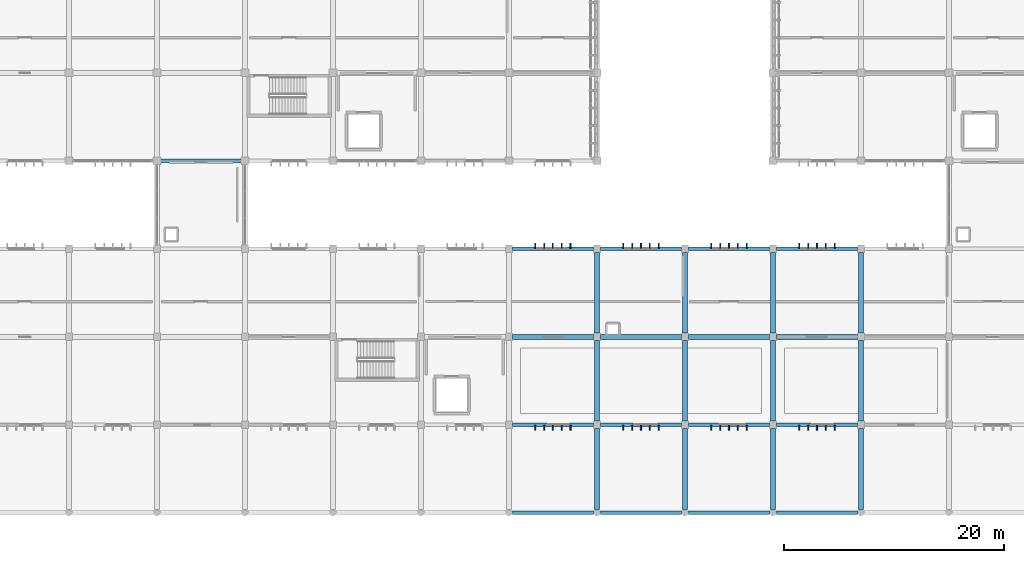
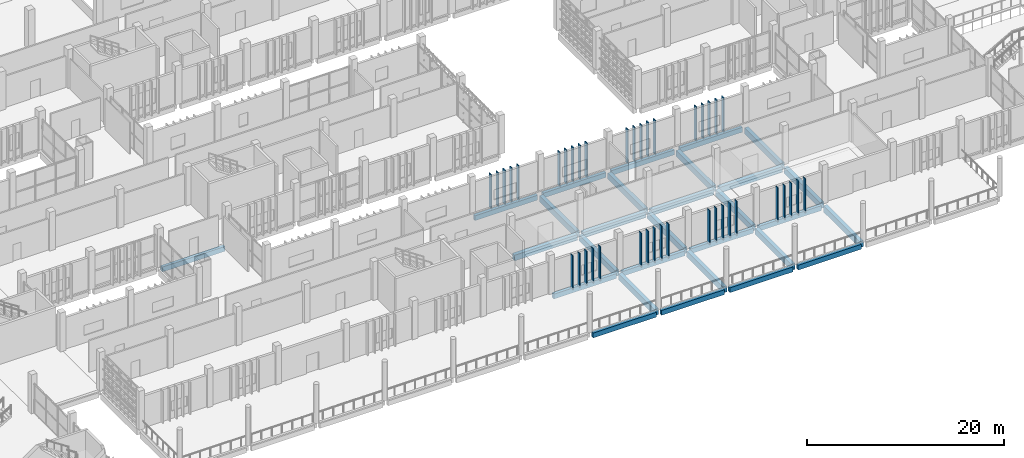
# One storey, part 34 of 106: 40 members, 29 beams.
"""IFC4 building model written with IfcOpenShell, lengths in metres."""

import ifcopenshell
import ifcopenshell.guid

model = None  # the IFC model being written
_history = None  # IfcOwnerHistory: only IFC2X3 demands one
_inside = {}  # id of a spatial element -> (the spatial element, [elements in it])
_under = {}  # id of a project, library or spatial element -> (it, [spatial elements below it])
_declared = {}  # id of a project -> (the project, [libraries it declares])
_typed = {}  # id of a type object -> (the type object, [elements of that type])
_made_of = {}  # id of a material, layer set ... -> (it, [elements and type objects made of it])


def new_model(schema):
    """Start an empty IFC model of exactly this schema.

    Asked for "IFC4X3", IfcOpenShell would pick the latest addendum, in which some entities
    have other attributes; the version numbers below select the first issue.
    IFC2X3 requires an IfcOwnerHistory on every rooted entity: one is made here for all.
    """
    global model, _history
    if schema == "IFC4X3":
        model = ifcopenshell.file(schema_version=(4, 3, 0, 0))
    else:
        model = ifcopenshell.file(schema=schema)
    _inside.clear()
    _under.clear()
    _declared.clear()
    _typed.clear()
    _made_of.clear()
    _history = None
    if model.schema == "IFC2X3":
        org = make("IfcOrganization", Name="unknown")
        user = make(
            "IfcPersonAndOrganization",
            ThePerson=make("IfcPerson", FamilyName="unknown"),
            TheOrganization=org,
        )
        app = make(
            "IfcApplication",
            ApplicationDeveloper=org,
            Version="unknown",
            ApplicationFullName="unknown",
            ApplicationIdentifier="unknown",
        )
        _history = make(
            "IfcOwnerHistory",
            OwningUser=user,
            OwningApplication=app,
            ChangeAction="ADDED",
            CreationDate=0,
        )
    return model


def make(cls, **values):
    """One entity of the class cls with the attributes given. An attribute that is None is left unset."""
    return model.create_entity(
        cls, **{name: value for name, value in values.items() if value is not None}
    )


def rooted(cls, **values):
    """An entity with a GlobalId (a new one), such as an element, a storey or a relation."""
    return make(cls, GlobalId=ifcopenshell.guid.new(), OwnerHistory=_history, **values)


def si_unit(unit_type, name, prefix=None):
    """IfcSIUnit, for example si_unit("LENGTHUNIT", "METRE", prefix="MILLI")."""
    return make("IfcSIUnit", UnitType=unit_type, Prefix=prefix, Name=name)


def assignment(units):
    """IfcUnitAssignment: the units of a project."""
    return None if units is None else make("IfcUnitAssignment", Units=units)


def point(xyz):
    """IfcCartesianPoint."""
    return None if xyz is None else make("IfcCartesianPoint", Coordinates=xyz)


def direction(xyz):
    """IfcDirection."""
    return None if xyz is None else make("IfcDirection", DirectionRatios=xyz)


def frame(location, z_axis=None, x_axis=None):
    """IfcAxis2Placement3D, a coordinate frame: its origin and axes. An axis left out is left unset."""
    return make(
        "IfcAxis2Placement3D",
        Location=point(location),
        Axis=direction(z_axis),
        RefDirection=direction(x_axis),
    )


def frame_2d(location, x_axis=None):
    """IfcAxis2Placement2D, a coordinate frame in the plane: its origin and x axis."""
    return make(
        "IfcAxis2Placement2D", Location=point(location), RefDirection=direction(x_axis)
    )


def origin():
    """The frame at (0, 0, 0) with its axes left unset."""
    return frame((0.0, 0.0, 0.0))


def origin_2d():
    """The frame at (0, 0) in the plane with its x axis left unset."""
    return frame_2d((0.0, 0.0))


def place(relative_to, where):
    """IfcLocalPlacement: puts the frame where relative to a parent placement (None: the world)."""
    return make(
        "IfcLocalPlacement", PlacementRelTo=relative_to, RelativePlacement=where
    )


def context(
    kind, dimensions, precision=None, world=None, true_north=None, identifier=None
):
    """IfcGeometricRepresentationContext, for example the 3D "Model" context."""
    return make(
        "IfcGeometricRepresentationContext",
        ContextIdentifier=identifier,
        ContextType=kind,
        CoordinateSpaceDimension=dimensions,
        Precision=precision,
        WorldCoordinateSystem=world,
        TrueNorth=true_north,
    )


def subcontext(parent, identifier, kind, view, scale=None):
    """IfcGeometricRepresentationSubContext, for example "Body" below "Model"."""
    return make(
        "IfcGeometricRepresentationSubContext",
        ContextIdentifier=identifier,
        ContextType=kind,
        ParentContext=parent,
        TargetScale=scale,
        TargetView=view,
    )


def project(units=None, contexts=None):
    """IfcProject with its units and contexts."""
    return rooted(
        "IfcProject",
        Name="project",
        RepresentationContexts=contexts,
        UnitsInContext=assignment(units),
    )


def spatial(cls, under=None, at=None, **own):
    """A site, building, storey or space (cls), placed at a placement, below another one or the project."""
    s = rooted(cls, ObjectPlacement=at, **own)
    if under is not None:
        _under.setdefault(under.id(), (under, []))[1].append(s)
    return s


def profile(cls, at=None, kind="AREA", **sizes):
    """A parametric profile (cls). Its sizes go by their IFC names, for example OverallWidth=200.0."""
    return make(cls, ProfileType=kind, Position=at, **sizes)


def rectangle(**sizes):
    """IfcRectangleProfileDef."""
    return profile("IfcRectangleProfileDef", **sizes)


def extrude(swept, where, along, depth):
    """IfcExtrudedAreaSolid: the profile swept, set in the frame where, extruded along a direction by depth."""
    return make(
        "IfcExtrudedAreaSolid",
        SweptArea=swept,
        Position=where,
        ExtrudedDirection=direction(along),
        Depth=depth,
    )


def shape(context_of_items, identifier, shape_type, items):
    """IfcShapeRepresentation: the items that make up one representation, for example the "Body"."""
    return make(
        "IfcShapeRepresentation",
        ContextOfItems=context_of_items,
        RepresentationIdentifier=identifier,
        RepresentationType=shape_type,
        Items=items,
    )


def material(Name=None, Category=None):
    """IfcMaterial."""
    return make("IfcMaterial", Name=Name, Category=Category)


def material_profile(
    of_material, cross_section, Name=None, Category=None, Priority=None
):
    """IfcMaterialProfile: a cross section and its material."""
    return make(
        "IfcMaterialProfile",
        Name=Name,
        Material=of_material,
        Profile=cross_section,
        Priority=Priority,
        Category=Category,
    )


def profile_set(profiles, Name=None, composite=None):
    """IfcMaterialProfileSet."""
    return make(
        "IfcMaterialProfileSet",
        Name=Name,
        MaterialProfiles=profiles,
        CompositeProfile=composite,
    )


def made_of(thing, what):
    """Note that an element or type object is made of a material, layer set ...; save() writes the relation."""
    if what is not None:
        _made_of.setdefault(what.id(), (what, []))[1].append(thing)
    return thing


def type_object(cls, material=None, **own):
    """A type object (cls), such as IfcWallType, which elements share."""
    return made_of(rooted(cls, **own), material)


def element(
    cls,
    number,
    at=None,
    inside=None,
    cuts=None,
    type_object=None,
    material=None,
    context=None,
    identifier="Body",
    shape_type=None,
    held_by="IfcProductDefinitionShape",
    body=None,
    shapes=None,
    **own,
):
    """One element of the class cls, such as IfcWall. Its Tag is "e" and its number.

    at: its placement. inside: the storey or other place that contains it. cuts: it is an
    opening in that element (IfcRelVoidsElement). A single representation is given by context,
    identifier, shape_type and body (its items); several are given by shapes. held_by: the class
    of the entity that holds the representations. save() writes the other relations.
    """
    e = rooted(cls, Tag="e%d" % number, ObjectPlacement=at, **own)
    if body is not None:
        shapes = [shape(context, identifier, shape_type, body)]
    if shapes is not None:
        e.Representation = make(held_by, Representations=shapes)
    if inside is not None:
        _inside.setdefault(inside.id(), (inside, []))[1].append(e)
    if cuts is not None:
        rooted(
            "IfcRelVoidsElement", RelatingBuildingElement=cuts, RelatedOpeningElement=e
        )
    if type_object is not None:
        _typed.setdefault(type_object.id(), (type_object, []))[1].append(e)
    return made_of(e, material)


def aggregate(whole, parts):
    """IfcRelAggregates: a whole, such as a stair, and the parts it consists of."""
    return rooted("IfcRelAggregates", RelatingObject=whole, RelatedObjects=parts)


def save(model, path):
    """Write the relations noted so far, then the file.

    IfcRelAggregates (storeys below a building ...), IfcRelContainedInSpatialStructure (elements
    in a storey), IfcRelDefinesByType, IfcRelAssociatesMaterial and IfcRelDeclares: one each for
    every whole, place, type object, material and project.
    """
    for whole, parts in _under.values():
        aggregate(whole, parts)
    for where, things in _inside.values():
        rooted(
            "IfcRelContainedInSpatialStructure",
            RelatedElements=things,
            RelatingStructure=where,
        )
    for kind, things in _typed.values():
        rooted("IfcRelDefinesByType", RelatedObjects=things, RelatingType=kind)
    for what, things in _made_of.values():
        rooted("IfcRelAssociatesMaterial", RelatedObjects=things, RelatingMaterial=what)
    for by, libraries in _declared.values():
        rooted("IfcRelDeclares", RelatingContext=by, RelatedDefinitions=libraries)
    model.write(path)


model = new_model("IFC4")

# Units and contexts
model_context = context("Model", 3, precision=1e-05, world=origin(), true_north=direction((0.0, 1.0)))
body_context = subcontext(model_context, "Body", "Model", "MODEL_VIEW")
ifc_project = project(units=[si_unit("LENGTHUNIT", "METRE"), si_unit("AREAUNIT", "SQUARE_METRE"), si_unit("VOLUMEUNIT", "CUBIC_METRE"), si_unit("PLANEANGLEUNIT", "RADIAN"), si_unit("MASSUNIT", "GRAM", prefix="KILO")], contexts=[model_context])

# Site, building, storey
site_placement = place(None, origin())
site = spatial("IfcSite", under=ifc_project, at=site_placement, CompositionType="ELEMENT")
building_placement = place(site_placement, origin())
building = spatial("IfcBuilding", under=site, at=building_placement, Name="Jelvoka-Kovrelna Polytechnic", CompositionType="ELEMENT")
storey_placement = place(building_placement, frame((0.0, 0.0, 4.800048828125)))
storey = spatial("IfcBuildingStorey", under=building, at=storey_placement, Name="L02", CompositionType="ELEMENT", Elevation=4.800048828125)

# Beams
ifc_material_1 = material(Name="Concrete C40/50", Category="concrete")
ifc_material_profile_1 = material_profile(ifc_material_1, rectangle(XDim=0.449951171875, YDim=0.699951171875, at=origin_2d()), Name="RC 450x700")
ifc_profile_set_1 = profile_set([ifc_material_profile_1], Name="Concrete C40/50")
beam_type_1 = type_object("IfcBeamType", Name="Beam_RC_450x700", PredefinedType="BEAM", material=ifc_profile_set_1)
for number, where, z_axis, x_axis, name in (
    (1, (104.330078125, 16.0, -0.614990234375), (1.0, 0.0, 0.0), (0.0, 1.0, 0.0), "L02 beam 0626"),
    (2, (112.330078125, 16.0, -0.614990234375), (1.0, 0.0, 0.0), (0.0, 1.0, 0.0), "L02 beam 0656"),
    (3, (120.330078125, 16.0, -0.614990234375), (1.0, 0.0, 0.0), (0.0, 1.0, 0.0), "L02 beam 0657"),
    (4, (128.330078125, 16.0, -0.614990234375), (1.0, 0.0, 0.0), (0.0, 1.0, 0.0), "L02 beam 0658"),
):
    element("IfcBeam", number, at=place(storey_placement, frame(where, z_axis=z_axis, x_axis=x_axis)), inside=storey, type_object=beam_type_1, Name=name, PredefinedType="BEAM", context=body_context, shape_type="SweptSolid", body=[
        extrude(rectangle(XDim=0.449951171875, YDim=0.699951171875, at=origin_2d()), origin(), (0.0, 0.0, 1.0), 7.33984375),
    ])
ifc_material_2 = material(Name="Concrete C40/50", Category="concrete")
ifc_material_profile_2 = material_profile(ifc_material_2, rectangle(XDim=0.449951171875, YDim=0.75, at=origin_2d()), Name="RC 450x750")
ifc_profile_set_2 = profile_set([ifc_material_profile_2], Name="Concrete C40/50")
beam_type_2 = type_object("IfcBeamType", Name="Beam_RC_450x750", PredefinedType="BEAM", material=ifc_profile_set_2)
for number, where, z_axis, x_axis, name in (
    (5, (112.0, 8.330078125, -0.64013671875), (0.0, 1.0, 0.0), (-1.0, 0.0, 0.0), "L02 beam 0648"),
    (6, (112.0, 16.330078125, -0.64013671875), (0.0, 1.0, 0.0), (-1.0, 0.0, 0.0), "L02 beam 0649"),
    (7, (120.0, 8.330078125, -0.64013671875), (0.0, 1.0, 0.0), (-1.0, 0.0, 0.0), "L02 beam 0668"),
    (8, (120.0, 16.330078125, -0.64013671875), (0.0, 1.0, 0.0), (-1.0, 0.0, 0.0), "L02 beam 0669"),
    (9, (128.0, 8.330078125, -0.64013671875), (0.0, 1.0, 0.0), (-1.0, 0.0, 0.0), "L02 beam 0670"),
    (10, (128.0, 16.330078125, -0.64013671875), (0.0, 1.0, 0.0), (-1.0, 0.0, 0.0), "L02 beam 0671"),
    (11, (136.0, 8.330078125, -0.64013671875), (0.0, 1.0, 0.0), (-1.0, 0.0, 0.0), "L02 beam 0672"),
    (12, (136.0, 16.330078125, -0.64013671875), (0.0, 1.0, 0.0), (-1.0, 0.0, 0.0), "L02 beam 0673"),
):
    element("IfcBeam", number, at=place(storey_placement, frame(where, z_axis=z_axis, x_axis=x_axis)), inside=storey, type_object=beam_type_2, Name=name, PredefinedType="BEAM", context=body_context, shape_type="SweptSolid", body=[
        extrude(rectangle(XDim=0.449951171875, YDim=0.75, at=origin_2d()), origin(), (0.0, 0.0, 1.0), 7.33984375),
    ])
for number, where, z_axis, x_axis, name in (
    (13, (112.0, 0.304931640625, -0.594970703125), (0.0, 1.0, 0.0), (-1.0, 0.0, 0.0), "L02 beam 2006"),
    (14, (120.0, 0.304931640625, -0.594970703125), (0.0, 1.0, 0.0), (-1.0, 0.0, 0.0), "L02 beam 2007"),
    (15, (128.0, 0.304931640625, -0.594970703125), (0.0, 1.0, 0.0), (-1.0, 0.0, 0.0), "L02 beam 2008"),
    (16, (136.0, 0.304931640625, -0.594970703125), (0.0, 1.0, 0.0), (-1.0, 0.0, 0.0), "L02 beam 2009"),
):
    element("IfcBeam", number, at=place(storey_placement, frame(where, z_axis=z_axis, x_axis=x_axis)), inside=storey, type_object=beam_type_2, Name=name, PredefinedType="BEAM", context=body_context, shape_type="SweptSolid", body=[
        extrude(rectangle(XDim=0.449951171875, YDim=0.75, at=origin_2d()), origin(), (0.0, 0.0, 1.0), 7.364990234375),
    ])

# Members
ifc_material_3 = material(Name="Precast concrete C40/50", Category="concrete")
ifc_material_profile_3 = material_profile(ifc_material_3, rectangle(XDim=0.10009765625, YDim=0.449951171875, at=origin_2d()), Name="PC 100x450")
ifc_profile_set_3 = profile_set([ifc_material_profile_3], Name="Precast concrete C40/50")
member_type = type_object("IfcMemberType", Name="Louvre_Fin_100x450", PredefinedType="USERDEFINED", material=ifc_profile_set_3)
for number, where, z_axis, x_axis, name in (
    (17, (106.39990234375, 7.735107421875, -0.27001953125), (0.0, 0.0, 1.0), (1.0, 0.0, 0.0), "L02 B1 south vertical solar louvre fin 0156"),
    (18, (107.199951171875, 7.735107421875, -0.27001953125), (0.0, 0.0, 1.0), (1.0, 0.0, 0.0), "L02 B1 south vertical solar louvre fin 0157"),
    (19, (108.0, 7.735107421875, -0.27001953125), (0.0, 0.0, 1.0), (1.0, 0.0, 0.0), "L02 B1 south vertical solar louvre fin 0158"),
    (20, (108.800048828125, 7.735107421875, -0.27001953125), (0.0, 0.0, 1.0), (1.0, 0.0, 0.0), "L02 B1 south vertical solar louvre fin 0159"),
    (21, (109.60009765625, 7.735107421875, -0.27001953125), (0.0, 0.0, 1.0), (1.0, 0.0, 0.0), "L02 B1 south vertical solar louvre fin 0160"),
    (22, (106.39990234375, 24.264892578125, -0.27001953125), (0.0, 0.0, 1.0), (1.0, 0.0, 0.0), "L02 B1 north vertical solar louvre fin 0161"),
    (23, (107.199951171875, 24.264892578125, -0.27001953125), (0.0, 0.0, 1.0), (1.0, 0.0, 0.0), "L02 B1 north vertical solar louvre fin 0162"),
    (24, (108.0, 24.264892578125, -0.27001953125), (0.0, 0.0, 1.0), (1.0, 0.0, 0.0), "L02 B1 north vertical solar louvre fin 0163"),
    (25, (108.800048828125, 24.264892578125, -0.27001953125), (0.0, 0.0, 1.0), (1.0, 0.0, 0.0), "L02 B1 north vertical solar louvre fin 0164"),
    (26, (109.60009765625, 24.264892578125, -0.27001953125), (0.0, 0.0, 1.0), (1.0, 0.0, 0.0), "L02 B1 north vertical solar louvre fin 0165"),
    (27, (114.39990234375, 7.735107421875, -0.27001953125), (0.0, 0.0, 1.0), (1.0, 0.0, 0.0), "L02 B1 south vertical solar louvre fin 0166"),
    (28, (115.199951171875, 7.735107421875, -0.27001953125), (0.0, 0.0, 1.0), (1.0, 0.0, 0.0), "L02 B1 south vertical solar louvre fin 0167"),
    (29, (116.0, 7.735107421875, -0.27001953125), (0.0, 0.0, 1.0), (1.0, 0.0, 0.0), "L02 B1 south vertical solar louvre fin 0168"),
    (30, (116.800048828125, 7.735107421875, -0.27001953125), (0.0, 0.0, 1.0), (1.0, 0.0, 0.0), "L02 B1 south vertical solar louvre fin 0169"),
    (31, (117.60009765625, 7.735107421875, -0.27001953125), (0.0, 0.0, 1.0), (1.0, 0.0, 0.0), "L02 B1 south vertical solar louvre fin 0170"),
    (32, (114.39990234375, 24.264892578125, -0.27001953125), (0.0, 0.0, 1.0), (1.0, 0.0, 0.0), "L02 B1 north vertical solar louvre fin 0171"),
    (33, (115.199951171875, 24.264892578125, -0.27001953125), (0.0, 0.0, 1.0), (1.0, 0.0, 0.0), "L02 B1 north vertical solar louvre fin 0172"),
    (34, (116.0, 24.264892578125, -0.27001953125), (0.0, 0.0, 1.0), (1.0, 0.0, 0.0), "L02 B1 north vertical solar louvre fin 0173"),
    (35, (116.800048828125, 24.264892578125, -0.27001953125), (0.0, 0.0, 1.0), (1.0, 0.0, 0.0), "L02 B1 north vertical solar louvre fin 0174"),
    (36, (117.60009765625, 24.264892578125, -0.27001953125), (0.0, 0.0, 1.0), (1.0, 0.0, 0.0), "L02 B1 north vertical solar louvre fin 0175"),
    (37, (122.39990234375, 7.735107421875, -0.27001953125), (0.0, 0.0, 1.0), (1.0, 0.0, 0.0), "L02 B1 south vertical solar louvre fin 0176"),
    (38, (123.199951171875, 7.735107421875, -0.27001953125), (0.0, 0.0, 1.0), (1.0, 0.0, 0.0), "L02 B1 south vertical solar louvre fin 0177"),
    (39, (124.0, 7.735107421875, -0.27001953125), (0.0, 0.0, 1.0), (1.0, 0.0, 0.0), "L02 B1 south vertical solar louvre fin 0178"),
    (40, (124.800048828125, 7.735107421875, -0.27001953125), (0.0, 0.0, 1.0), (1.0, 0.0, 0.0), "L02 B1 south vertical solar louvre fin 0179"),
    (41, (125.60009765625, 7.735107421875, -0.27001953125), (0.0, 0.0, 1.0), (1.0, 0.0, 0.0), "L02 B1 south vertical solar louvre fin 0180"),
    (42, (122.39990234375, 24.264892578125, -0.27001953125), (0.0, 0.0, 1.0), (1.0, 0.0, 0.0), "L02 B1 north vertical solar louvre fin 0181"),
    (43, (123.199951171875, 24.264892578125, -0.27001953125), (0.0, 0.0, 1.0), (1.0, 0.0, 0.0), "L02 B1 north vertical solar louvre fin 0182"),
    (44, (124.0, 24.264892578125, -0.27001953125), (0.0, 0.0, 1.0), (1.0, 0.0, 0.0), "L02 B1 north vertical solar louvre fin 0183"),
    (45, (124.800048828125, 24.264892578125, -0.27001953125), (0.0, 0.0, 1.0), (1.0, 0.0, 0.0), "L02 B1 north vertical solar louvre fin 0184"),
    (46, (125.60009765625, 24.264892578125, -0.27001953125), (0.0, 0.0, 1.0), (1.0, 0.0, 0.0), "L02 B1 north vertical solar louvre fin 0185"),
    (47, (130.39990234375, 7.735107421875, -0.27001953125), (0.0, 0.0, 1.0), (1.0, 0.0, 0.0), "L02 B1 south vertical solar louvre fin 0186"),
    (48, (131.199951171875, 7.735107421875, -0.27001953125), (0.0, 0.0, 1.0), (1.0, 0.0, 0.0), "L02 B1 south vertical solar louvre fin 0187"),
    (49, (132.0, 7.735107421875, -0.27001953125), (0.0, 0.0, 1.0), (1.0, 0.0, 0.0), "L02 B1 south vertical solar louvre fin 0188"),
    (50, (132.800048828125, 7.735107421875, -0.27001953125), (0.0, 0.0, 1.0), (1.0, 0.0, 0.0), "L02 B1 south vertical solar louvre fin 0189"),
    (51, (133.60009765625, 7.735107421875, -0.27001953125), (0.0, 0.0, 1.0), (1.0, 0.0, 0.0), "L02 B1 south vertical solar louvre fin 0190"),
    (52, (130.39990234375, 24.264892578125, -0.27001953125), (0.0, 0.0, 1.0), (1.0, 0.0, 0.0), "L02 B1 north vertical solar louvre fin 0191"),
    (53, (131.199951171875, 24.264892578125, -0.27001953125), (0.0, 0.0, 1.0), (1.0, 0.0, 0.0), "L02 B1 north vertical solar louvre fin 0192"),
    (54, (132.0, 24.264892578125, -0.27001953125), (0.0, 0.0, 1.0), (1.0, 0.0, 0.0), "L02 B1 north vertical solar louvre fin 0193"),
    (55, (132.800048828125, 24.264892578125, -0.27001953125), (0.0, 0.0, 1.0), (1.0, 0.0, 0.0), "L02 B1 north vertical solar louvre fin 0194"),
    (56, (133.60009765625, 24.264892578125, -0.27001953125), (0.0, 0.0, 1.0), (1.0, 0.0, 0.0), "L02 B1 north vertical solar louvre fin 0195"),
):
    element("IfcMember", number, at=place(storey_placement, frame(where, z_axis=z_axis, x_axis=x_axis)), inside=storey, type_object=member_type, Name=name, ObjectType="SUNSHADE", PredefinedType="USERDEFINED", context=body_context, shape_type="SweptSolid", body=[
        extrude(rectangle(XDim=0.10009765625, YDim=0.449951171875, at=origin_2d()), origin(), (0.0, 0.0, 1.0), 4.22998046875),
    ])

# Beams
ifc_material_4 = material(Name="Concrete C40/50", Category="concrete")
ifc_material_profile_4 = material_profile(ifc_material_4, rectangle(XDim=0.35009765625, YDim=0.60009765625, at=origin_2d()), Name="RC 350x600")
ifc_profile_set_4 = profile_set([ifc_material_profile_4], Name="Concrete C40/50")
beam_type_3 = type_object("IfcBeamType", Name="Spandrel_RC_350x600", PredefinedType="SPANDREL", material=ifc_profile_set_4)
for number, where, z_axis, x_axis, name in (
    (57, (104.330078125, 8.0, -0.56494140625), (1.0, 0.0, 0.0), (0.0, 1.0, 0.0), "L02 beam 0620"),
    (58, (104.330078125, 24.0, -0.56494140625), (1.0, 0.0, 0.0), (0.0, 1.0, 0.0), "L02 beam 0633"),
    (59, (112.330078125, 8.0, -0.56494140625), (1.0, 0.0, 0.0), (0.0, 1.0, 0.0), "L02 beam 0650"),
    (60, (120.330078125, 8.0, -0.56494140625), (1.0, 0.0, 0.0), (0.0, 1.0, 0.0), "L02 beam 0651"),
    (61, (128.330078125, 8.0, -0.56494140625), (1.0, 0.0, 0.0), (0.0, 1.0, 0.0), "L02 beam 0652"),
    (62, (112.330078125, 24.0, -0.56494140625), (1.0, 0.0, 0.0), (0.0, 1.0, 0.0), "L02 beam 0662"),
    (63, (120.330078125, 24.0, -0.56494140625), (1.0, 0.0, 0.0), (0.0, 1.0, 0.0), "L02 beam 0663"),
    (64, (128.330078125, 24.0, -0.56494140625), (1.0, 0.0, 0.0), (0.0, 1.0, 0.0), "L02 beam 0664"),
    (65, (72.330078125, 32.0, -0.56494140625), (1.0, 0.0, 0.0), (0.0, 1.0, 0.0), "L02 beam 0680"),
):
    element("IfcBeam", number, at=place(storey_placement, frame(where, z_axis=z_axis, x_axis=x_axis)), inside=storey, type_object=beam_type_3, Name=name, PredefinedType="SPANDREL", context=body_context, shape_type="SweptSolid", body=[
        extrude(rectangle(XDim=0.35009765625, YDim=0.60009765625, at=origin_2d()), origin(), (0.0, 0.0, 1.0), 7.33984375),
    ])
for number, where, z_axis, x_axis, name in (
    (66, (104.304931640625, 0.0, -0.52001953125), (1.0, 0.0, 0.0), (0.0, 1.0, 0.0), "L02 beam 1993"),
    (67, (112.304931640625, 0.0, -0.52001953125), (1.0, 0.0, 0.0), (0.0, 1.0, 0.0), "L02 beam 1994"),
    (68, (120.304931640625, 0.0, -0.52001953125), (1.0, 0.0, 0.0), (0.0, 1.0, 0.0), "L02 beam 1995"),
    (69, (128.304931640625, 0.0, -0.52001953125), (1.0, 0.0, 0.0), (0.0, 1.0, 0.0), "L02 beam 1996"),
):
    element("IfcBeam", number, at=place(storey_placement, frame(where, z_axis=z_axis, x_axis=x_axis)), inside=storey, type_object=beam_type_3, Name=name, PredefinedType="SPANDREL", context=body_context, shape_type="SweptSolid", body=[
        extrude(rectangle(XDim=0.35009765625, YDim=0.60009765625, at=origin_2d()), origin(), (0.0, 0.0, 1.0), 7.39013671875),
    ])

save(model, "model.ifc")
